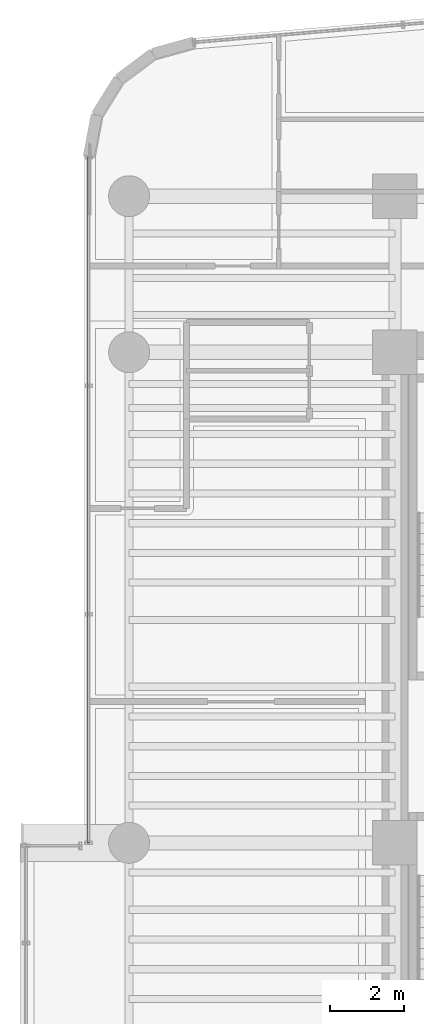
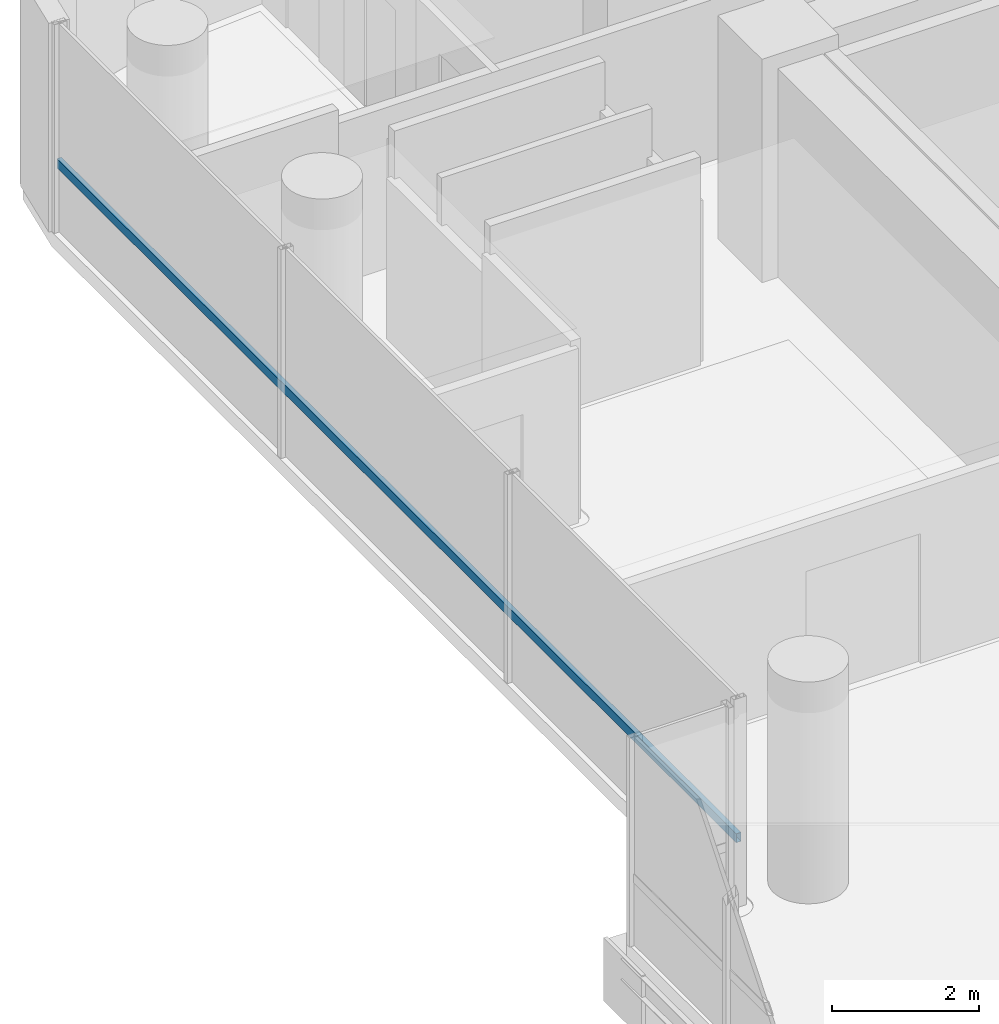
# One storey, part 8 of 38: 1 member, 1 element without a shape of its own.
"""IFC4 building model written with IfcOpenShell, lengths in metres."""

from ifc_helpers import new_model, si_unit, direction, frame, origin, origin_2d, place, context, subcontext, project, spatial, hollow_rectangle, extrude, source, transform, mapped, material, material_profile, profile_set, type_object, element, aggregate, save


model = new_model("IFC4")

# Units and contexts
model_context = context("Model", 3, precision=1e-05, world=origin(), true_north=direction((0.0, 1.0)))
body_context = subcontext(model_context, "Body", "Model", "MODEL_VIEW")
ifc_project = project(units=[si_unit("LENGTHUNIT", "METRE"), si_unit("AREAUNIT", "SQUARE_METRE"), si_unit("VOLUMEUNIT", "CUBIC_METRE"), si_unit("PLANEANGLEUNIT", "RADIAN"), si_unit("MASSUNIT", "GRAM", prefix="KILO")], contexts=[model_context])

# Site, building, storey
site_placement = place(None, origin())
site = spatial("IfcSite", under=ifc_project, at=site_placement, CompositionType="ELEMENT")
building_placement = place(site_placement, origin())
building = spatial("IfcBuilding", under=site, at=building_placement, Name="Valdorenza Pilgrim Sanctuary Tower", CompositionType="ELEMENT")
storey_placement = place(building_placement, frame((0.0, 0.0, 131.60009765625)))
storey = spatial("IfcBuildingStorey", under=building, at=storey_placement, Name="L33", CompositionType="ELEMENT", Elevation=131.60009765625)

# Curtain wall, member
ifc_material_1 = material(Name="Curtain-wall IGU glazing", Category="glass")
curtain_wall_type = type_object("IfcCurtainWallType", Name="CW-SYS-02", PredefinedType="NOTDEFINED", material=ifc_material_1)
curtain_wall_placement = place(storey_placement, origin())
curtain_wall = element("IfcCurtainWall", 1, at=curtain_wall_placement, inside=storey, type_object=curtain_wall_type, Name="L33 Curtain Wall CW-L33-1-1S2", PredefinedType="NOTDEFINED")
ifc_material_2 = material(Name="Anodised aluminium AW-6060", Category="aluminium")
ifc_material_profile = material_profile(ifc_material_2, hollow_rectangle(XDim=0.074951171875, YDim=0.14990234375, WallThickness=0.00390625, at=origin_2d()), Name="ALU-T 150x75x4")
ifc_profile_set = profile_set([ifc_material_profile], Name="Anodised aluminium AW-6060")
member_type = type_object("IfcMemberType", Name="CW-TRN-02", PredefinedType="USERDEFINED", material=ifc_profile_set)
shared_shape = source(origin(), body_context, "Body", "SweptSolid", [
    extrude(hollow_rectangle(XDim=0.074951171875, YDim=0.14990234375, WallThickness=0.00390625, at=origin_2d()), origin(), (0.0, 0.0, 1.0), 18.450439453125),
])
member_placement = place(storey_placement, frame((-30.889892578125, -2.60009765625, 1.119873046875), z_axis=(0.0, 1.0, 0.0), x_axis=(-1.0, 0.0, 0.0)))
member = element("IfcMember", 2, at=member_placement, type_object=member_type, Name="CW-L33-1-1S2 Transom 1", ObjectType="TRANSOM", PredefinedType="USERDEFINED", context=body_context, shape_type="MappedRepresentation", body=[
    mapped(shared_shape, transform((0.0, 0.0, 0.0), x_axis=(1.0, 0.0, 0.0), y_axis=(0.0, 1.0, 0.0), z_axis=(0.0, 0.0, 1.0), scale=1.0)),
])
aggregate(curtain_wall, [member])

save(model, "model.ifc")
